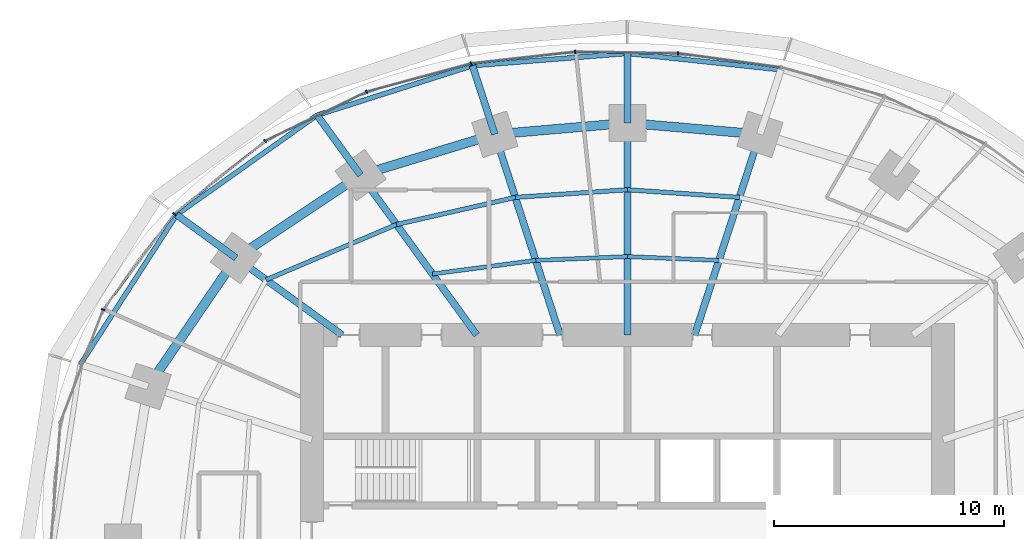
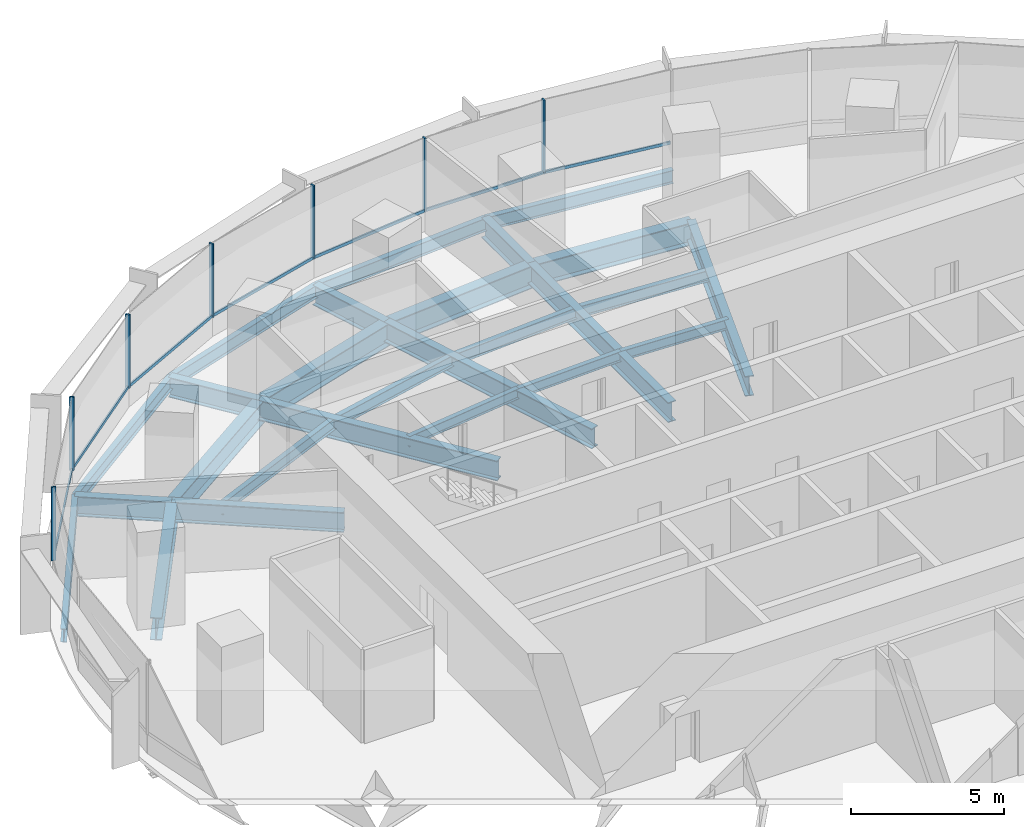
# One storey, part 7 of 14: 26 beams, 14 members, 2 elements without a shape of their own.
"""IFC4 building model written with IfcOpenShell, lengths in metres."""

from ifc_helpers import new_model, si_unit, direction, frame, origin, origin_2d, place, context, subcontext, project, spatial, rectangle, i_section, extrude, material, material_profile, profile_set, type_object, element, aggregate, save


model = new_model("IFC4")

# Units and contexts
model_context = context("Model", 3, precision=1e-05, world=origin(), true_north=direction((0.0, 1.0)))
body_context = subcontext(model_context, "Body", "Model", "MODEL_VIEW")
ifc_project = project(units=[si_unit("LENGTHUNIT", "METRE"), si_unit("AREAUNIT", "SQUARE_METRE"), si_unit("VOLUMEUNIT", "CUBIC_METRE"), si_unit("PLANEANGLEUNIT", "RADIAN"), si_unit("MASSUNIT", "GRAM", prefix="KILO")], contexts=[model_context])

# Site, building, storey
site_placement = place(None, origin())
site = spatial("IfcSite", under=ifc_project, at=site_placement, CompositionType="ELEMENT")
building_placement = place(site_placement, origin())
building = spatial("IfcBuilding", under=site, at=building_placement, Name="Marramba Exchange Tower", CompositionType="ELEMENT")
storey_placement = place(building_placement, frame((0.0, 0.0, 131.39990234375)))
storey = spatial("IfcBuildingStorey", under=building, at=storey_placement, Name="L31", CompositionType="ELEMENT", Elevation=131.39990234375)

# Beams
ifc_material_1 = material(Name="Steel AS/NZS 3679.2 grade 300", Category="steel")
ifc_material_profile_1 = material_profile(ifc_material_1, i_section(OverallWidth=0.300048828125, OverallDepth=0.800048828125, WebThickness=0.013916015625, FlangeThickness=0.031982421875, at=origin_2d()), Name="800WB192")
ifc_profile_set_1 = profile_set([ifc_material_profile_1], Name="Steel AS/NZS 3679.2 grade 300")
beam_type_1 = type_object("IfcBeamType", Name="Cantilever girder 800WB192", PredefinedType="BEAM", material=ifc_profile_set_1)
beam_1_placement = place(storey_placement, frame((0.0, 18.2041015625, -0.559814453125), z_axis=(0.0, 1.0, 0.0), x_axis=(-1.0, 0.0, 0.0)))
element("IfcBeam", 1, at=beam_1_placement, inside=storey, type_object=beam_type_1, Name="Cantilever girder L31 TC06", PredefinedType="BEAM", context=body_context, shape_type="SweptSolid", body=[
    extrude(i_section(OverallWidth=0.300048828125, OverallDepth=0.800048828125, WebThickness=0.013916015625, FlangeThickness=0.031982421875, at=origin_2d()), origin(), (0.0, 0.0, 1.0), 3.01904296875),
])
beam_2_placement = place(storey_placement, frame((-5.75390625, 17.70849609375, -0.559814453125), z_axis=(-0.309028002802, 0.95105293937, 0.0), x_axis=(-0.95105293937, -0.309028002802, 0.0)))
element("IfcBeam", 2, at=beam_2_placement, inside=storey, type_object=beam_type_1, Name="Cantilever girder L31 TC07", PredefinedType="BEAM", context=body_context, shape_type="SweptSolid", body=[
    extrude(i_section(OverallWidth=0.300048828125, OverallDepth=0.800048828125, WebThickness=0.013916015625, FlangeThickness=0.031982421875, at=origin_2d()), origin(), (0.0, 0.0, 1.0), 3.13720703125),
])
beam_3_placement = place(storey_placement, frame((-11.581298828125, 15.9404296875, -0.559814453125), z_axis=(-0.587828447158, 0.808985609706, 0.0), x_axis=(-0.808985609706, -0.587828447158, 0.0)))
element("IfcBeam", 3, at=beam_3_placement, inside=storey, type_object=beam_type_1, Name="Cantilever girder L31 TC08", PredefinedType="BEAM", context=body_context, shape_type="SweptSolid", body=[
    extrude(i_section(OverallWidth=0.300048828125, OverallDepth=0.800048828125, WebThickness=0.013916015625, FlangeThickness=0.031982421875, at=origin_2d()), origin(), (0.0, 0.0, 1.0), 3.214599609375),
])
beam_4_placement = place(storey_placement, frame((-16.98583984375, 12.3408203125, -0.559814453125), z_axis=(-0.809013857915, 0.587789569234, 0.0), x_axis=(-0.587789569234, -0.809013857915, 0.0)))
element("IfcBeam", 4, at=beam_4_placement, inside=storey, type_object=beam_type_1, Name="Cantilever girder L31 TC09", PredefinedType="BEAM", context=body_context, shape_type="SweptSolid", body=[
    extrude(i_section(OverallWidth=0.300048828125, OverallDepth=0.800048828125, WebThickness=0.013916015625, FlangeThickness=0.031982421875, at=origin_2d()), origin(), (0.0, 0.0, 1.0), 3.191650390625),
])
ifc_material_2 = material(Name="Steel AS/NZS 3679.1 grade 300", Category="steel")
ifc_material_profile_2 = material_profile(ifc_material_2, i_section(OverallWidth=0.177978515625, OverallDepth=0.406005859375, WebThickness=0.0078125, FlangeThickness=0.0126953125, FilletRadius=0.011474609375, at=origin_2d()), Name="410UB59.7")
ifc_profile_set_2 = profile_set([ifc_material_profile_2], Name="Steel AS/NZS 3679.1 grade 300")
beam_type_2 = type_object("IfcBeamType", Name="Floor joist 410UB59.7", PredefinedType="JOIST", material=ifc_profile_set_2)
for number, where, z_axis, x_axis, name in (
    (5, (3.975830078125, 12.236083984375, -0.36279296875), (-0.999137002892, 0.041536122257, 0.0), (-0.041536122257, -0.999137002892, 0.0), "Joist L31 bay 05 row 1"),
    (6, (0.0, 12.4013671875, -0.36279296875), (-0.999137002892, -0.041536122257, 0.0), (0.041536122257, -0.999137002892, 0.0), "Joist L31 bay 06 row 1"),
):
    element("IfcBeam", number, at=place(storey_placement, frame(where, z_axis=z_axis, x_axis=x_axis)), inside=storey, type_object=beam_type_2, Name=name, PredefinedType="JOIST", context=body_context, shape_type="SweptSolid", body=[
        extrude(i_section(OverallWidth=0.177978515625, OverallDepth=0.406005859375, WebThickness=0.0078125, FlangeThickness=0.0126953125, FilletRadius=0.011474609375, at=origin_2d()), origin(), (0.0, 0.0, 1.0), 3.979248046875),
    ])
beam_5_placement = place(storey_placement, frame((-3.975830078125, 12.236083984375, -0.36279296875), z_axis=(-0.991480538255, -0.130254912618, 0.0), x_axis=(0.130254912618, -0.991480538255, 0.0)))
element("IfcBeam", 7, at=beam_5_placement, inside=storey, type_object=beam_type_2, Name="Joist L31 bay 07 row 1", PredefinedType="JOIST", context=body_context, shape_type="SweptSolid", body=[
    extrude(i_section(OverallWidth=0.177978515625, OverallDepth=0.406005859375, WebThickness=0.0078125, FlangeThickness=0.0126953125, FilletRadius=0.011474609375, at=origin_2d()), origin(), (0.0, 0.0, 1.0), 4.524658203125),
])
ifc_material_profile_3 = material_profile(ifc_material_2, i_section(OverallWidth=0.18994140625, OverallDepth=0.4541015625, WebThickness=0.008544921875, FlangeThickness=0.0126953125, FilletRadius=0.011474609375, at=origin_2d()), Name="460UB67.1")
ifc_profile_set_3 = profile_set([ifc_material_profile_3], Name="Steel AS/NZS 3679.1 grade 300")
beam_type_3 = type_object("IfcBeamType", Name="Floor joist 460UB67.1", PredefinedType="JOIST", material=ifc_profile_set_3)
for number, where, z_axis, x_axis, name in (
    (8, (4.86474609375, 14.972412109375, -0.386962890625), (-0.997702652202, 0.067745241816, 0.0), (-0.067745241816, -0.997702652202, 0.0), "Joist L31 bay 05 row 2"),
    (9, (0.0, 15.302734375, -0.386962890625), (-0.997702652202, -0.067745241816, 0.0), (0.067745241816, -0.997702652202, 0.0), "Joist L31 bay 06 row 2"),
):
    element("IfcBeam", number, at=place(storey_placement, frame(where, z_axis=z_axis, x_axis=x_axis)), inside=storey, type_object=beam_type_3, Name=name, PredefinedType="JOIST", context=body_context, shape_type="SweptSolid", body=[
        extrude(i_section(OverallWidth=0.18994140625, OverallDepth=0.4541015625, WebThickness=0.008544921875, FlangeThickness=0.0126953125, FilletRadius=0.011474609375, at=origin_2d()), origin(), (0.0, 0.0, 1.0), 4.8759765625),
    ])
beam_6_placement = place(storey_placement, frame((-4.86474609375, 14.972412109375, -0.386962890625), z_axis=(-0.974859652292, -0.222819788916, 0.0), x_axis=(0.222819788916, -0.974859652292, 0.0)))
element("IfcBeam", 10, at=beam_6_placement, inside=storey, type_object=beam_type_3, Name="Joist L31 bay 07 row 2", PredefinedType="JOIST", context=body_context, shape_type="SweptSolid", body=[
    extrude(i_section(OverallWidth=0.18994140625, OverallDepth=0.4541015625, WebThickness=0.008544921875, FlangeThickness=0.0126953125, FilletRadius=0.011474609375, at=origin_2d()), origin(), (0.0, 0.0, 1.0), 5.2900390625),
])
beam_7_placement = place(storey_placement, frame((-10.021728515625, 13.793701171875, -0.386962890625), z_axis=(-0.920674336375, -0.390331610738, 0.0), x_axis=(0.390331610738, -0.920674336375, 0.0)))
element("IfcBeam", 11, at=beam_7_placement, inside=storey, type_object=beam_type_3, Name="Joist L31 bay 08 row 2", PredefinedType="JOIST", context=body_context, shape_type="SweptSolid", body=[
    extrude(i_section(OverallWidth=0.18994140625, OverallDepth=0.4541015625, WebThickness=0.008544921875, FlangeThickness=0.0126953125, FilletRadius=0.011474609375, at=origin_2d()), origin(), (0.0, 0.0, 1.0), 6.1484375),
])

# Curtain wall, members
ifc_material_3 = material(Name="Aluminium framing, bronze anodised", Category="aluminium")
curtain_wall_type = type_object("IfcCurtainWallType", Name="Office ribbon curtain wall", PredefinedType="USERDEFINED", material=ifc_material_3)
curtain_wall_1_placement = place(storey_placement, origin())
curtain_wall_1 = element("IfcCurtainWall", 12, at=curtain_wall_1_placement, inside=storey, type_object=curtain_wall_type, Name="Curtain wall CW4 L31 F06-F10", ObjectType="RIBBON CURTAIN WALL", PredefinedType="USERDEFINED")
ifc_material_4 = material(Name="Aluminium mullion, bronze anodised", Category="aluminium")
ifc_material_profile_4 = material_profile(ifc_material_4, rectangle(XDim=0.159912109375, YDim=0.06005859375, at=origin_2d()), Name="CW4 mullion 60x160")
ifc_profile_set_4 = profile_set([ifc_material_profile_4], Name="Aluminium mullion, bronze anodised")
member_type_1 = type_object("IfcMemberType", Name="Office ribbon curtain wall mullion", PredefinedType="MULLION", material=ifc_profile_set_4)
member_1_placement = place(storey_placement, frame((2.200439453125, 21.2216796875, 0.800048828125), z_axis=(0.0, 0.0, 1.0), x_axis=(-0.01575578169, -0.999875869968, 0.0)))
member_1 = element("IfcMember", 13, at=member_1_placement, type_object=member_type_1, Name="CW4 mullion 1", PredefinedType="MULLION", context=body_context, shape_type="SweptSolid", body=[
    extrude(rectangle(XDim=0.159912109375, YDim=0.06005859375, at=origin_2d()), origin(), (0.0, 0.0, 1.0), 2.93994140625),
])
member_2_placement = place(storey_placement, frame((-2.267578125, 21.288330078125, 0.800048828125), z_axis=(0.0, 0.0, 1.0), x_axis=(0.110973233233, -0.993823395532, 0.0)))
member_2 = element("IfcMember", 14, at=member_2_placement, type_object=member_type_1, Name="CW4 mullion 1", PredefinedType="MULLION", context=body_context, shape_type="SweptSolid", body=[
    extrude(rectangle(XDim=0.159912109375, YDim=0.06005859375, at=origin_2d()), origin(), (0.0, 0.0, 1.0), 2.93994140625),
])
member_3_placement = place(storey_placement, frame((-6.783203125, 20.779541015625, 0.800048828125), z_axis=(0.0, 0.0, 1.0), x_axis=(0.260321294588, -0.965522047176, 0.0)))
member_3 = element("IfcMember", 15, at=member_3_placement, type_object=member_type_1, Name="CW4 mullion 1", PredefinedType="MULLION", context=body_context, shape_type="SweptSolid", body=[
    extrude(rectangle(XDim=0.159912109375, YDim=0.06005859375, at=origin_2d()), origin(), (0.0, 0.0, 1.0), 2.93994140625),
])

curtain_wall_2_placement = place(storey_placement, origin())
curtain_wall_2 = element("IfcCurtainWall", 16, at=curtain_wall_2_placement, inside=storey, type_object=curtain_wall_type, Name="Curtain wall CW4 L31 F11-F15", ObjectType="RIBBON CURTAIN WALL", PredefinedType="USERDEFINED")
member_4_placement = place(storey_placement, frame((-11.32177734375, 19.550048828125, 0.800048828125), z_axis=(0.0, 0.0, 1.0), x_axis=(0.435427626771, -0.900223739881, 0.0)))
member_4 = element("IfcMember", 17, at=member_4_placement, type_object=member_type_1, Name="CW4 mullion 1", PredefinedType="MULLION", context=body_context, shape_type="SweptSolid", body=[
    extrude(rectangle(XDim=0.159912109375, YDim=0.06005859375, at=origin_2d()), origin(), (0.0, 0.0, 1.0), 2.93994140625),
])
member_5_placement = place(storey_placement, frame((-15.720703125, 17.414794921875, 0.800048828125), z_axis=(0.0, 0.0, 1.0), x_axis=(0.624307950145, -0.78117833008, 0.0)))
member_5 = element("IfcMember", 18, at=member_5_placement, type_object=member_type_1, Name="CW4 mullion 1", PredefinedType="MULLION", context=body_context, shape_type="SweptSolid", body=[
    extrude(rectangle(XDim=0.159912109375, YDim=0.06005859375, at=origin_2d()), origin(), (0.0, 0.0, 1.0), 2.93994140625),
])
member_6_placement = place(storey_placement, frame((-19.666748046875, 14.251708984375, 0.800048828125), z_axis=(0.0, 0.0, 1.0), x_axis=(0.80171686484, -0.597703997504, 0.0)))
member_6 = element("IfcMember", 19, at=member_6_placement, type_object=member_type_1, Name="CW4 mullion 1", PredefinedType="MULLION", context=body_context, shape_type="SweptSolid", body=[
    extrude(rectangle(XDim=0.159912109375, YDim=0.06005859375, at=origin_2d()), origin(), (0.0, 0.0, 1.0), 2.93994140625),
])
member_7_placement = place(storey_placement, frame((-22.75341796875, 10.09765625, 0.800048828125), z_axis=(0.0, 0.0, 1.0), x_axis=(0.934925346317, -0.354844468484, 0.0)))
member_7 = element("IfcMember", 20, at=member_7_placement, type_object=member_type_1, Name="CW4 mullion 1", PredefinedType="MULLION", context=body_context, shape_type="SweptSolid", body=[
    extrude(rectangle(XDim=0.159912109375, YDim=0.06005859375, at=origin_2d()), origin(), (0.0, 0.0, 1.0), 2.93994140625),
])

# Member
ifc_material_5 = material(Name="Aluminium transom, bronze anodised", Category="aluminium")
ifc_material_profile_5 = material_profile(ifc_material_5, rectangle(XDim=0.06005859375, YDim=0.1201171875, at=origin_2d()), Name="CW4 transom 60x120")
ifc_profile_set_5 = profile_set([ifc_material_profile_5], Name="Aluminium transom, bronze anodised")
member_type_2 = type_object("IfcMemberType", Name="Office ribbon curtain wall transom", PredefinedType="USERDEFINED", material=ifc_profile_set_5)
member_8_placement = place(storey_placement, frame((6.636962890625, 20.6171875, 0.830078125), z_axis=(-0.990736067897, 0.135801486619, 0.0), x_axis=(-0.135801486619, -0.990736067897, 0.0)))
member_8 = element("IfcMember", 21, at=member_8_placement, type_object=member_type_2, Name="CW4 sill transom", ObjectType="TRANSOM", PredefinedType="USERDEFINED", context=body_context, shape_type="SweptSolid", body=[
    extrude(rectangle(XDim=0.06005859375, YDim=0.1201171875, at=origin_2d()), origin(), (0.0, 0.0, 1.0), 4.44775390625),
])

member_9_placement = place(storey_placement, frame((2.17041015625, 21.22216796875, 0.830078125), z_axis=(-0.999875452363, 0.015782260962, 0.0), x_axis=(-0.015782260962, -0.999875452363, 0.0)))
member_9 = element("IfcMember", 22, at=member_9_placement, type_object=member_type_2, Name="CW4 sill transom", ObjectType="TRANSOM", PredefinedType="USERDEFINED", context=body_context, shape_type="SweptSolid", body=[
    extrude(rectangle(XDim=0.06005859375, YDim=0.1201171875, at=origin_2d()), origin(), (0.0, 0.0, 1.0), 4.40869140625),
])

member_10_placement = place(storey_placement, frame((-2.29736328125, 21.284912109375, 0.830078125), z_axis=(-0.993825837835, -0.110951358943, 0.0), x_axis=(0.110951358943, -0.993825837835, 0.0)))
member_10 = element("IfcMember", 23, at=member_10_placement, type_object=member_type_2, Name="CW4 sill transom", ObjectType="TRANSOM", PredefinedType="USERDEFINED", context=body_context, shape_type="SweptSolid", body=[
    extrude(rectangle(XDim=0.06005859375, YDim=0.1201171875, at=origin_2d()), origin(), (0.0, 0.0, 1.0), 4.484375),
])

member_11_placement = place(storey_placement, frame((-6.812255859375, 20.771728515625, 0.830078125), z_axis=(-0.965511085148, -0.260361948942, 0.0), x_axis=(0.260361948942, -0.965511085148, 0.0)))
member_11 = element("IfcMember", 24, at=member_11_placement, type_object=member_type_2, Name="CW4 sill transom", ObjectType="TRANSOM", PredefinedType="USERDEFINED", context=body_context, shape_type="SweptSolid", body=[
    extrude(rectangle(XDim=0.06005859375, YDim=0.1201171875, at=origin_2d()), origin(), (0.0, 0.0, 1.0), 4.642578125),
])

aggregate(curtain_wall_1, [member_8, member_1, member_9, member_2, member_10, member_3, member_11])

member_12_placement = place(storey_placement, frame((-11.348876953125, 19.536865234375, 0.830078125), z_axis=(-0.900223166385, -0.435428812442, 0.0), x_axis=(0.435428812442, -0.900223166385, 0.0)))
member_12 = element("IfcMember", 25, at=member_12_placement, type_object=member_type_2, Name="CW4 sill transom", ObjectType="TRANSOM", PredefinedType="USERDEFINED", context=body_context, shape_type="SweptSolid", body=[
    extrude(rectangle(XDim=0.06005859375, YDim=0.1201171875, at=origin_2d()), origin(), (0.0, 0.0, 1.0), 4.830322265625),
])

member_13_placement = place(storey_placement, frame((-15.744140625, 17.396240234375, 0.830078125), z_axis=(-0.781164169531, -0.624325668414, 0.0), x_axis=(0.624325668414, -0.781164169531, 0.0)))
member_13 = element("IfcMember", 26, at=member_13_placement, type_object=member_type_2, Name="CW4 sill transom", ObjectType="TRANSOM", PredefinedType="USERDEFINED", context=body_context, shape_type="SweptSolid", body=[
    extrude(rectangle(XDim=0.06005859375, YDim=0.1201171875, at=origin_2d()), origin(), (0.0, 0.0, 1.0), 4.998291015625),
])

member_14_placement = place(storey_placement, frame((-19.6845703125, 14.2275390625, 0.830078125), z_axis=(-0.597714731658, -0.801708862093, 0.0), x_axis=(0.801708862093, -0.597714731658, 0.0)))
member_14 = element("IfcMember", 27, at=member_14_placement, type_object=member_type_2, Name="CW4 sill transom", ObjectType="TRANSOM", PredefinedType="USERDEFINED", context=body_context, shape_type="SweptSolid", body=[
    extrude(rectangle(XDim=0.06005859375, YDim=0.1201171875, at=origin_2d()), origin(), (0.0, 0.0, 1.0), 5.1162109375),
])

aggregate(curtain_wall_2, [member_4, member_12, member_5, member_13, member_6, member_14, member_7])

# Beams
ifc_material_profile_6 = material_profile(ifc_material_1, i_section(OverallWidth=0.300048828125, OverallDepth=0.800048828125, WebThickness=0.013916015625, FlangeThickness=0.031982421875, at=origin_2d()), Name="800WB192")
ifc_profile_set_6 = profile_set([ifc_material_profile_6], Name="Steel AS/NZS 3679.2 grade 300")
beam_type_4 = type_object("IfcBeamType", Name="Radial girder 800WB192", PredefinedType="BEAM", material=ifc_profile_set_6)
beam_8_placement = place(storey_placement, frame((2.92431640625, 9.0, -0.559814453125), z_axis=(0.309019754162, 0.951055619582, 0.0), x_axis=(-0.951055619582, 0.309019754162, 0.0)))
element("IfcBeam", 28, at=beam_8_placement, inside=storey, type_object=beam_type_4, Name="Radial girder L31 TC05", PredefinedType="BEAM", context=body_context, shape_type="SweptSolid", body=[
    extrude(i_section(OverallWidth=0.300048828125, OverallDepth=0.800048828125, WebThickness=0.013916015625, FlangeThickness=0.031982421875, at=origin_2d()), origin(), (0.0, 0.0, 1.0), 9.15673828125),
])
beam_9_placement = place(storey_placement, frame((0.0, 9.0, -0.559814453125), z_axis=(0.0, 1.0, 0.0), x_axis=(-1.0, 0.0, 0.0)))
element("IfcBeam", 29, at=beam_9_placement, inside=storey, type_object=beam_type_4, Name="Radial girder L31 TC06", PredefinedType="BEAM", context=body_context, shape_type="SweptSolid", body=[
    extrude(i_section(OverallWidth=0.300048828125, OverallDepth=0.800048828125, WebThickness=0.013916015625, FlangeThickness=0.031982421875, at=origin_2d()), origin(), (0.0, 0.0, 1.0), 9.2041015625),
])
beam_10_placement = place(storey_placement, frame((-2.92431640625, 9.0, -0.559814453125), z_axis=(-0.309019754162, 0.951055619582, 0.0), x_axis=(-0.951055619582, -0.309019754162, 0.0)))
element("IfcBeam", 30, at=beam_10_placement, inside=storey, type_object=beam_type_4, Name="Radial girder L31 TC07", PredefinedType="BEAM", context=body_context, shape_type="SweptSolid", body=[
    extrude(i_section(OverallWidth=0.300048828125, OverallDepth=0.800048828125, WebThickness=0.013916015625, FlangeThickness=0.031982421875, at=origin_2d()), origin(), (0.0, 0.0, 1.0), 9.15673828125),
])
beam_11_placement = place(storey_placement, frame((-6.538818359375, 9.0, -0.559814453125), z_axis=(-0.587782439969, 0.80901903764, 0.0), x_axis=(-0.80901903764, -0.587782439969, 0.0)))
element("IfcBeam", 31, at=beam_11_placement, inside=storey, type_object=beam_type_4, Name="Radial girder L31 TC08", PredefinedType="BEAM", context=body_context, shape_type="SweptSolid", body=[
    extrude(i_section(OverallWidth=0.300048828125, OverallDepth=0.800048828125, WebThickness=0.013916015625, FlangeThickness=0.031982421875, at=origin_2d()), origin(), (0.0, 0.0, 1.0), 8.578857421875),
])
beam_12_placement = place(storey_placement, frame((-12.387451171875, 9.0, -0.559814453125), z_axis=(-0.809025746925, 0.587773205252, 0.0), x_axis=(-0.587773205252, -0.809025746925, 0.0)))
element("IfcBeam", 32, at=beam_12_placement, inside=storey, type_object=beam_type_4, Name="Radial girder L31 TC09", PredefinedType="BEAM", context=body_context, shape_type="SweptSolid", body=[
    extrude(i_section(OverallWidth=0.300048828125, OverallDepth=0.800048828125, WebThickness=0.013916015625, FlangeThickness=0.031982421875, at=origin_2d()), origin(), (0.0, 0.0, 1.0), 5.683837890625),
])
ifc_material_profile_7 = material_profile(ifc_material_1, i_section(OverallWidth=0.39990234375, OverallDepth=0.89990234375, WebThickness=0.01611328125, FlangeThickness=0.031982421875, at=origin_2d()), Name="900WB282")
ifc_profile_set_7 = profile_set([ifc_material_profile_7], Name="Steel AS/NZS 3679.2 grade 300")
beam_type_5 = type_object("IfcBeamType", Name="Ring beam 900WB282", PredefinedType="SPANDREL", material=ifc_profile_set_7)
for number, where, z_axis, x_axis, name in (
    (33, (5.75390625, 17.70849609375, -0.60986328125), (-0.996311003275, 0.085815993578, 0.0), (-0.085815993578, -0.996311003275, 0.0), "Ring beam L31 TC05-TC06"),
    (34, (0.0, 18.2041015625, -0.60986328125), (-0.996311003275, -0.085815993578, 0.0), (0.085815993578, -0.996311003275, 0.0), "Ring beam L31 TC06-TC07"),
):
    element("IfcBeam", number, at=place(storey_placement, frame(where, z_axis=z_axis, x_axis=x_axis)), inside=storey, type_object=beam_type_5, Name=name, PredefinedType="SPANDREL", context=body_context, shape_type="SweptSolid", body=[
        extrude(i_section(OverallWidth=0.39990234375, OverallDepth=0.89990234375, WebThickness=0.01611328125, FlangeThickness=0.031982421875, at=origin_2d()), origin(), (0.0, 0.0, 1.0), 5.775146484375),
    ])
beam_13_placement = place(storey_placement, frame((-5.75390625, 17.70849609375, -0.60986328125), z_axis=(-0.956924542524, -0.290336735387, 0.0), x_axis=(0.290336735387, -0.956924542524, 0.0)))
element("IfcBeam", 35, at=beam_13_placement, inside=storey, type_object=beam_type_5, Name="Ring beam L31 TC07-TC08", PredefinedType="SPANDREL", context=body_context, shape_type="SweptSolid", body=[
    extrude(i_section(OverallWidth=0.39990234375, OverallDepth=0.89990234375, WebThickness=0.01611328125, FlangeThickness=0.031982421875, at=origin_2d()), origin(), (0.0, 0.0, 1.0), 6.089599609375),
])
beam_14_placement = place(storey_placement, frame((-11.581298828125, 15.9404296875, -0.60986328125), z_axis=(-0.832293151443, -0.554335737673, 0.0), x_axis=(0.554335737673, -0.832293151443, 0.0)))
element("IfcBeam", 36, at=beam_14_placement, inside=storey, type_object=beam_type_5, Name="Ring beam L31 TC08-TC09", PredefinedType="SPANDREL", context=body_context, shape_type="SweptSolid", body=[
    extrude(i_section(OverallWidth=0.39990234375, OverallDepth=0.89990234375, WebThickness=0.01611328125, FlangeThickness=0.031982421875, at=origin_2d()), origin(), (0.0, 0.0, 1.0), 6.49365234375),
])
beam_15_placement = place(storey_placement, frame((-16.98583984375, 12.3408203125, -0.60986328125), z_axis=(-0.56516002054, -0.824981303535, 0.0), x_axis=(0.824981303535, -0.56516002054, 0.0)))
element("IfcBeam", 37, at=beam_15_placement, inside=storey, type_object=beam_type_5, Name="Ring beam L31 TC09-TC10", PredefinedType="SPANDREL", context=body_context, shape_type="SweptSolid", body=[
    extrude(i_section(OverallWidth=0.39990234375, OverallDepth=0.89990234375, WebThickness=0.01611328125, FlangeThickness=0.031982421875, at=origin_2d()), origin(), (0.0, 0.0, 1.0), 6.763671875),
])
ifc_material_profile_8 = material_profile(ifc_material_2, i_section(OverallWidth=0.208984375, OverallDepth=0.528076171875, WebThickness=0.009521484375, FlangeThickness=0.01318359375, FilletRadius=0.013916015625, at=origin_2d()), Name="530UB82.0")
ifc_profile_set_8 = profile_set([ifc_material_profile_8], Name="Steel AS/NZS 3679.1 grade 300")
beam_type_6 = type_object("IfcBeamType", Name="Slab edge beam 530UB82.0", PredefinedType="SPANDREL", material=ifc_profile_set_8)
beam_16_placement = place(storey_placement, frame((6.66552734375, 20.51416015625, -0.423828125), z_axis=(-0.994390706415, 0.105769196815, 0.0), x_axis=(-0.105769196815, -0.994390706415, 0.0)))
element("IfcBeam", 38, at=beam_16_placement, inside=storey, type_object=beam_type_6, Name="Slab edge beam L31 TC05-TC06", PredefinedType="SPANDREL", context=body_context, shape_type="SweptSolid", body=[
    extrude(i_section(OverallWidth=0.208984375, OverallDepth=0.528076171875, WebThickness=0.009521484375, FlangeThickness=0.01318359375, FilletRadius=0.013916015625, at=origin_2d()), origin(), (0.0, 0.0, 1.0), 6.703125),
])
beam_17_placement = place(storey_placement, frame((0.0, 21.22314453125, -0.423828125), z_axis=(-0.996895681721, -0.078733726996, 0.0), x_axis=(0.078733726996, -0.996895681721, 0.0)))
element("IfcBeam", 39, at=beam_17_placement, inside=storey, type_object=beam_type_6, Name="Slab edge beam L31 TC06-TC07", PredefinedType="SPANDREL", context=body_context, shape_type="SweptSolid", body=[
    extrude(i_section(OverallWidth=0.208984375, OverallDepth=0.528076171875, WebThickness=0.009521484375, FlangeThickness=0.01318359375, FilletRadius=0.013916015625, at=origin_2d()), origin(), (0.0, 0.0, 1.0), 6.744384765625),
])
beam_18_placement = place(storey_placement, frame((-6.723388671875, 20.692138671875, -0.423828125), z_axis=(-0.952755400854, -0.303738614839, 0.0), x_axis=(0.303738614839, -0.952755400854, 0.0)))
element("IfcBeam", 40, at=beam_18_placement, inside=storey, type_object=beam_type_6, Name="Slab edge beam L31 TC07-TC08", PredefinedType="SPANDREL", context=body_context, shape_type="SweptSolid", body=[
    extrude(i_section(OverallWidth=0.208984375, OverallDepth=0.528076171875, WebThickness=0.009521484375, FlangeThickness=0.01318359375, FilletRadius=0.013916015625, at=origin_2d()), origin(), (0.0, 0.0, 1.0), 7.08203125),
])
beam_19_placement = place(storey_placement, frame((-13.470947265625, 18.541015625, -0.423828125), z_axis=(-0.815673202412, -0.578512944425, 0.0), x_axis=(0.578512944425, -0.815673202412, 0.0)))
element("IfcBeam", 41, at=beam_19_placement, inside=storey, type_object=beam_type_6, Name="Slab edge beam L31 TC08-TC09", PredefinedType="SPANDREL", context=body_context, shape_type="SweptSolid", body=[
    extrude(i_section(OverallWidth=0.208984375, OverallDepth=0.528076171875, WebThickness=0.009521484375, FlangeThickness=0.01318359375, FilletRadius=0.013916015625, at=origin_2d()), origin(), (0.0, 0.0, 1.0), 7.474609375),
])
beam_20_placement = place(storey_placement, frame((-19.56787109375, 14.216796875, -0.423828125), z_axis=(-0.541060886597, -0.840983422544, 0.0), x_axis=(0.840983422544, -0.541060886597, 0.0)))
element("IfcBeam", 42, at=beam_20_placement, inside=storey, type_object=beam_type_6, Name="Slab edge beam L31 TC09-TC10", PredefinedType="SPANDREL", context=body_context, shape_type="SweptSolid", body=[
    extrude(i_section(OverallWidth=0.208984375, OverallDepth=0.528076171875, WebThickness=0.009521484375, FlangeThickness=0.01318359375, FilletRadius=0.013916015625, at=origin_2d()), origin(), (0.0, 0.0, 1.0), 7.72900390625),
])

save(model, "model.ifc")
